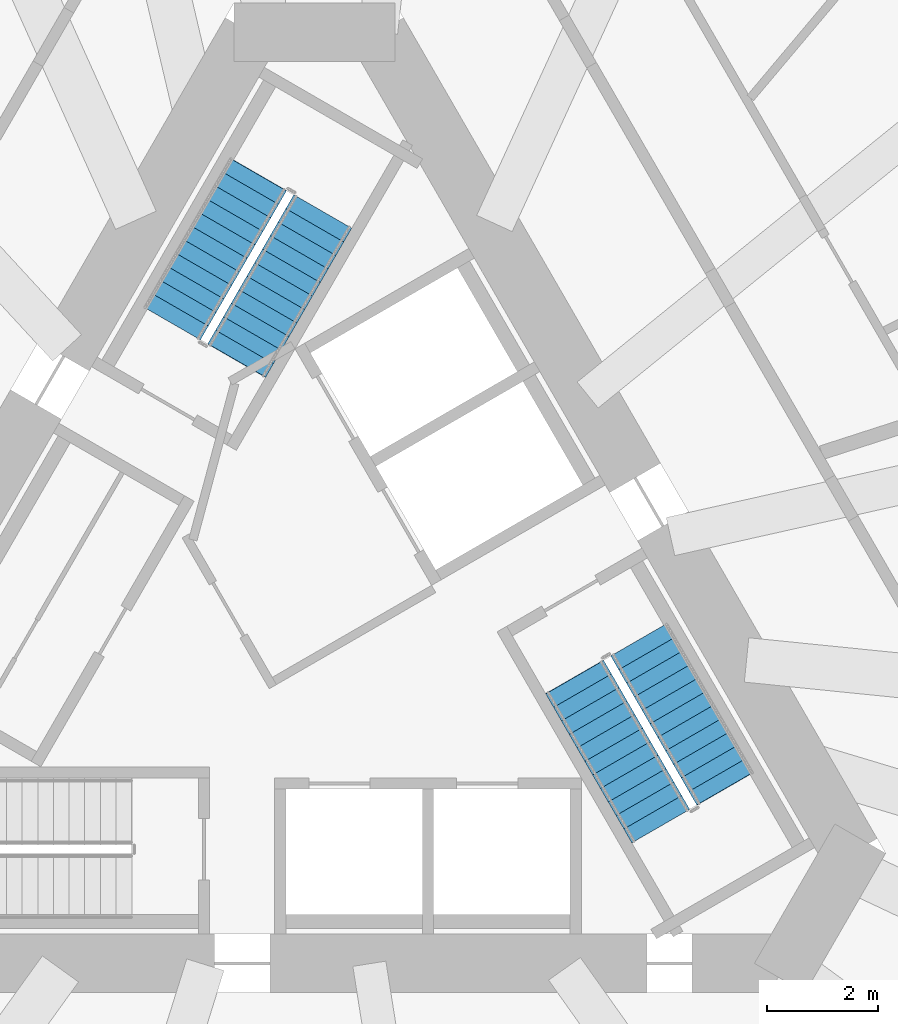
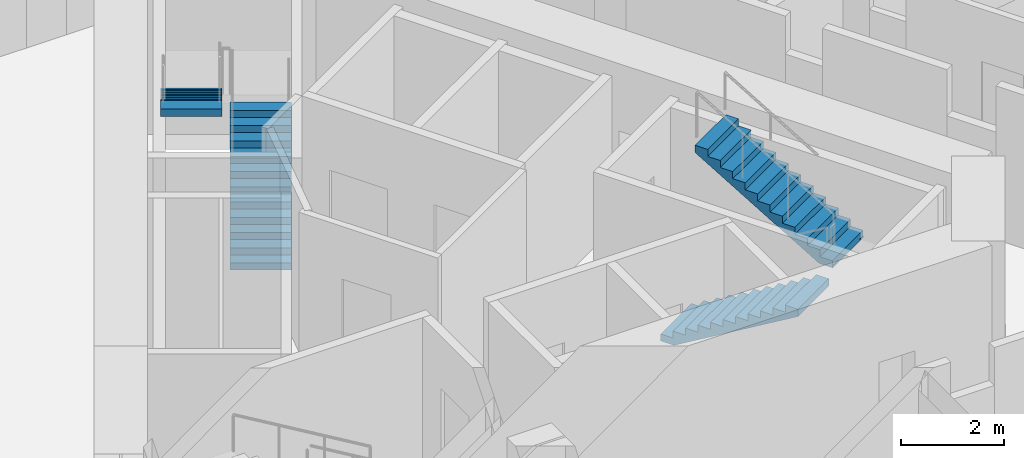
# One storey, part 10 of 14: 4 stair flights, 2 elements without a shape of their own.
"""IFC4 building model written with IfcOpenShell, lengths in metres."""

from ifc_helpers import new_model, si_unit, direction, frame, origin, place, context, subcontext, project, spatial, polyline, outline, extrude, material, layer, layer_set, type_object, element, aggregate, save


model = new_model("IFC4")

# Units and contexts
model_context = context("Model", 3, precision=1e-05, world=origin(), true_north=direction((0.0, 1.0)))
body_context = subcontext(model_context, "Body", "Model", "MODEL_VIEW")
ifc_project = project(units=[si_unit("LENGTHUNIT", "METRE"), si_unit("AREAUNIT", "SQUARE_METRE"), si_unit("VOLUMEUNIT", "CUBIC_METRE"), si_unit("PLANEANGLEUNIT", "RADIAN"), si_unit("MASSUNIT", "GRAM", prefix="KILO")], contexts=[model_context])

# Site, building, storey
site_placement = place(None, origin())
site = spatial("IfcSite", under=ifc_project, at=site_placement, CompositionType="ELEMENT")
building_placement = place(site_placement, origin())
building = spatial("IfcBuilding", under=site, at=building_placement, Name="Tramontana Tower", CompositionType="ELEMENT")
storey_placement = place(building_placement, frame((0.0, 0.0, 75.199951171875)))
storey = spatial("IfcBuildingStorey", under=building, at=storey_placement, Name="L16", CompositionType="ELEMENT", Elevation=75.199951171875)

# Stair, stair flights
ifc_material_1 = material(Name="Concrete 40 MPa", Category="concrete")
stair_type = type_object("IfcStairType", Name="EXIT STAIR 24 RISERS", PredefinedType="HALF_TURN_STAIR", material=ifc_material_1)
stair_1_placement = place(storey_placement, origin())
stair_1 = element("IfcStair", 1, at=stair_1_placement, inside=storey, type_object=stair_type, Name="L16 Exit stair ST1", PredefinedType="HALF_TURN_STAIR")
ifc_material_2 = material(Name="Concrete 40 MPa", Category="concrete")
ifc_layer = layer(ifc_material_2, 0.14990234375)
ifc_layer_set = layer_set([ifc_layer], Name="EXIT STAIR FLIGHT")
stair_flight_type = type_object("IfcStairFlightType", Name="EXIT STAIR FLIGHT", PredefinedType="STRAIGHT", material=ifc_layer_set)
stair_flight_1_placement = place(storey_placement, frame((-1.39111328125, 4.590576171875, 0.0), z_axis=(0.0, 0.0, 1.0), x_axis=(0.5, 0.866025403784, 0.0)))
stair_flight_1 = element("IfcStairFlight", 2, at=stair_flight_1_placement, type_object=stair_flight_type, Name="ST1 flight 1", NumberOfRisers=12, NumberOfTreads=11, PredefinedType="STRAIGHT", RiserHeight=0.166666667, TreadLength=0.28, context=body_context, shape_type="SweptSolid", body=[
    extrude(outline(polyline([(-0.006103515625, 0.0), (-0.006103515625, 0.0400390625), (0.0, 0.0400390625), (0.0, 0.166748046875), (0.280029296875, 0.166748046875), (0.280029296875, 0.333251953125), (0.56005859375, 0.333251953125), (0.56005859375, 0.5), (0.840087890625, 0.5), (0.840087890625, 0.666748046875), (1.1201171875, 0.666748046875), (1.1201171875, 0.833251953125), (1.39990234375, 0.833251953125), (1.39990234375, 1.0), (1.679931640625, 1.0), (1.679931640625, 1.166748046875), (1.9599609375, 1.166748046875), (1.9599609375, 1.333251953125), (2.239990234375, 1.333251953125), (2.239990234375, 1.5), (2.52001953125, 1.5), (2.52001953125, 1.666748046875), (2.800048828125, 1.666748046875), (2.800048828125, 1.833251953125), (3.080078125, 1.833251953125), (3.0859375, 1.833251953125), (3.0859375, 1.658935546875), (0.299072265625, 0.0), (-0.006103515625, 0.0)])), frame((0.0, 0.60009765625, 0.0), z_axis=(0.0, -1.0, 0.0), x_axis=(1.0, 0.0, 0.0)), (0.0, 0.0, 1.0), 1.199951171875),
])
stair_flight_2_placement = place(storey_placement, frame((-1.020263671875, 7.932861328125, 2.0), z_axis=(0.0, 0.0, 1.0), x_axis=(-0.5, -0.866025403784, 0.0)))
stair_flight_2 = element("IfcStairFlight", 3, at=stair_flight_2_placement, type_object=stair_flight_type, Name="ST1 flight 2", NumberOfRisers=12, NumberOfTreads=11, PredefinedType="STRAIGHT", RiserHeight=0.166666667, TreadLength=0.28, context=body_context, shape_type="SweptSolid", body=[
    extrude(outline(polyline([(-0.006103515625, 0.0), (-0.006103515625, 0.0400390625), (0.0, 0.0400390625), (0.0, 0.166748046875), (0.280029296875, 0.166748046875), (0.280029296875, 0.333251953125), (0.56005859375, 0.333251953125), (0.56005859375, 0.5), (0.840087890625, 0.5), (0.840087890625, 0.666748046875), (1.1201171875, 0.666748046875), (1.1201171875, 0.833251953125), (1.39990234375, 0.833251953125), (1.39990234375, 1.0), (1.679931640625, 1.0), (1.679931640625, 1.166748046875), (1.9599609375, 1.166748046875), (1.9599609375, 1.333251953125), (2.239990234375, 1.333251953125), (2.239990234375, 1.5), (2.52001953125, 1.5), (2.52001953125, 1.666748046875), (2.800048828125, 1.666748046875), (2.800048828125, 1.833251953125), (3.080078125, 1.833251953125), (3.0859375, 1.833251953125), (3.0859375, 1.658935546875), (0.299072265625, 0.0), (-0.006103515625, 0.0)])), frame((0.0, 0.60009765625, 0.0), z_axis=(0.0, -1.0, 0.0), x_axis=(1.0, 0.0, 0.0)), (0.0, 0.0, 1.0), 1.199951171875),
])
aggregate(stair_1, [stair_flight_1, stair_flight_2])

stair_2_placement = place(storey_placement, origin())
stair_2 = element("IfcStair", 4, at=stair_2_placement, inside=storey, type_object=stair_type, Name="L16 Exit stair ST3", PredefinedType="HALF_TURN_STAIR")
stair_flight_3_placement = place(storey_placement, frame((4.671142578125, -1.090576171875, 0.0), z_axis=(0.0, 0.0, 1.0), x_axis=(0.5, -0.866025403784, 0.0)))
stair_flight_3 = element("IfcStairFlight", 5, at=stair_flight_3_placement, type_object=stair_flight_type, Name="ST3 flight 1", NumberOfRisers=12, NumberOfTreads=11, PredefinedType="STRAIGHT", RiserHeight=0.166666667, TreadLength=0.28, context=body_context, shape_type="SweptSolid", body=[
    extrude(outline(polyline([(-0.006103515625, 0.0), (-0.006103515625, 0.0400390625), (0.0, 0.0400390625), (0.0, 0.166748046875), (0.280029296875, 0.166748046875), (0.280029296875, 0.333251953125), (0.56005859375, 0.333251953125), (0.56005859375, 0.5), (0.840087890625, 0.5), (0.840087890625, 0.666748046875), (1.1201171875, 0.666748046875), (1.1201171875, 0.833251953125), (1.39990234375, 0.833251953125), (1.39990234375, 1.0), (1.679931640625, 1.0), (1.679931640625, 1.166748046875), (1.9599609375, 1.166748046875), (1.9599609375, 1.333251953125), (2.239990234375, 1.333251953125), (2.239990234375, 1.5), (2.52001953125, 1.5), (2.52001953125, 1.666748046875), (2.800048828125, 1.666748046875), (2.800048828125, 1.833251953125), (3.080078125, 1.833251953125), (3.0859375, 1.833251953125), (3.0859375, 1.658935546875), (0.299072265625, 0.0), (-0.006103515625, 0.0)])), frame((0.0, 0.60009765625, 0.0), z_axis=(0.0, -1.0, 0.0), x_axis=(1.0, 0.0, 0.0)), (0.0, 0.0, 1.0), 1.199951171875),
])
stair_flight_4_placement = place(storey_placement, frame((7.380126953125, -3.0830078125, 2.0), z_axis=(0.0, 0.0, 1.0), x_axis=(-0.5, 0.866025403784, 0.0)))
stair_flight_4 = element("IfcStairFlight", 6, at=stair_flight_4_placement, type_object=stair_flight_type, Name="ST3 flight 2", NumberOfRisers=12, NumberOfTreads=11, PredefinedType="STRAIGHT", RiserHeight=0.166666667, TreadLength=0.28, context=body_context, shape_type="SweptSolid", body=[
    extrude(outline(polyline([(-0.006103515625, 0.0), (-0.006103515625, 0.0400390625), (0.0, 0.0400390625), (0.0, 0.166748046875), (0.280029296875, 0.166748046875), (0.280029296875, 0.333251953125), (0.56005859375, 0.333251953125), (0.56005859375, 0.5), (0.840087890625, 0.5), (0.840087890625, 0.666748046875), (1.1201171875, 0.666748046875), (1.1201171875, 0.833251953125), (1.39990234375, 0.833251953125), (1.39990234375, 1.0), (1.679931640625, 1.0), (1.679931640625, 1.166748046875), (1.9599609375, 1.166748046875), (1.9599609375, 1.333251953125), (2.239990234375, 1.333251953125), (2.239990234375, 1.5), (2.52001953125, 1.5), (2.52001953125, 1.666748046875), (2.800048828125, 1.666748046875), (2.800048828125, 1.833251953125), (3.080078125, 1.833251953125), (3.0859375, 1.833251953125), (3.0859375, 1.658935546875), (0.299072265625, 0.0), (-0.006103515625, 0.0)])), frame((0.0, 0.60009765625, 0.0), z_axis=(0.0, -1.0, 0.0), x_axis=(1.0, 0.0, 0.0)), (0.0, 0.0, 1.0), 1.199951171875),
])
aggregate(stair_2, [stair_flight_3, stair_flight_4])

save(model, "model.ifc")
